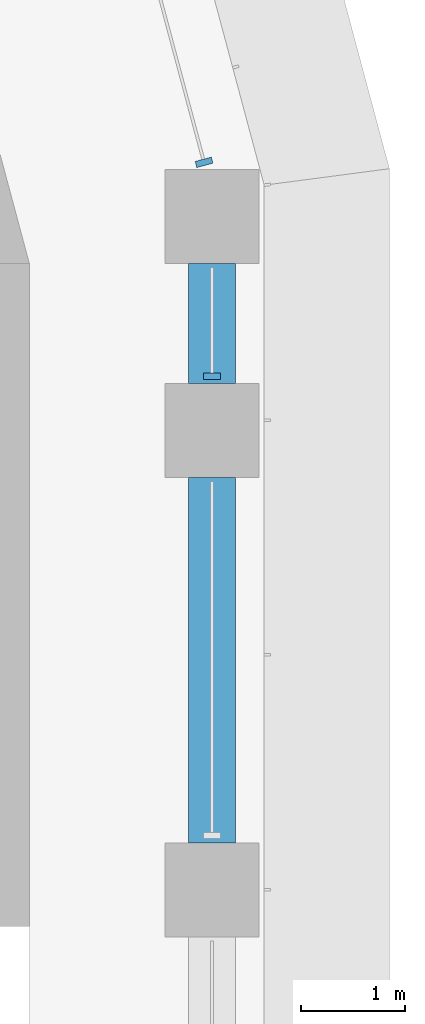
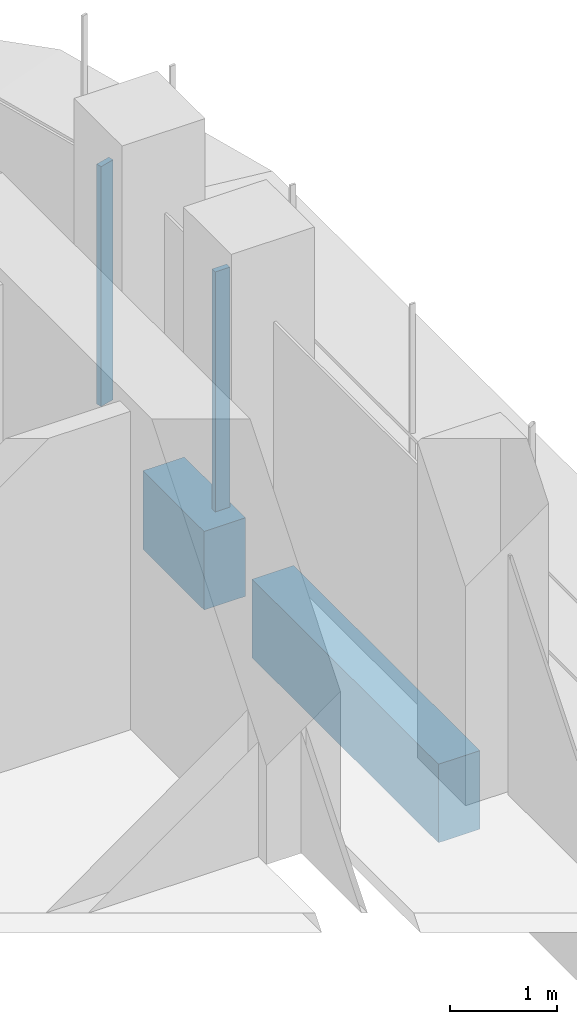
# One storey, part 9 of 22: 2 beams, 2 members, 2 elements without a shape of their own.
"""IFC4 building model written with IfcOpenShell, lengths in metres."""

from ifc_helpers import new_model, si_unit, direction, frame, origin, origin_2d, place, context, subcontext, project, spatial, polyline, rectangle, outline, extrude, source, transform, mapped, material, material_profile, profile_set, type_object, element, aggregate, save


model = new_model("IFC4")

# Units and contexts
model_context = context("Model", 3, precision=1e-05, world=origin(), true_north=direction((0.0, 1.0)))
body_context = subcontext(model_context, "Body", "Model", "MODEL_VIEW")
ifc_project = project(units=[si_unit("LENGTHUNIT", "METRE"), si_unit("AREAUNIT", "SQUARE_METRE"), si_unit("VOLUMEUNIT", "CUBIC_METRE"), si_unit("PLANEANGLEUNIT", "RADIAN"), si_unit("MASSUNIT", "GRAM", prefix="KILO")], contexts=[model_context])

# Site, building, storey
site_placement = place(None, origin())
site = spatial("IfcSite", under=ifc_project, at=site_placement, CompositionType="ELEMENT")
building_placement = place(site_placement, origin())
building = spatial("IfcBuilding", under=site, at=building_placement, Name="Zarbagh Exchange Tower", CompositionType="ELEMENT")
storey_placement = place(building_placement, frame((0.0, 0.0, 109.39990234375)))
storey = spatial("IfcBuildingStorey", under=building, at=storey_placement, Name="L25", CompositionType="ELEMENT", Elevation=109.39990234375)

# Beams
ifc_material_1 = material(Name="Concrete C60/75", Category="concrete")
ifc_material_profile = material_profile(ifc_material_1, rectangle(XDim=0.449951171875, YDim=0.89990234375, at=origin_2d()), Name="RC spandrel beam 450 x 900 C60/75")
ifc_profile_set = profile_set([ifc_material_profile], Name="Concrete C60/75")
beam_type = type_object("IfcBeamType", Name="RC spandrel beam 450 x 900 C60/75", PredefinedType="SPANDREL", material=ifc_profile_set)
beam_1_placement = place(storey_placement, frame((6.25, 26.25, -0.599853515625), z_axis=(0.0, -1.0, 0.0), x_axis=(1.0, 0.0, 0.0)))
element("IfcBeam", 1, at=beam_1_placement, inside=storey, type_object=beam_type, Name="RC spandrel beam", PredefinedType="SPANDREL", context=body_context, shape_type="SweptSolid", body=[
    extrude(rectangle(XDim=0.449951171875, YDim=0.89990234375, at=origin_2d()), origin(), (0.0, 0.0, 1.0), 1.14990234375),
])
beam_2_placement = place(storey_placement, frame((6.25, 24.199951171875, -0.599853515625), z_axis=(0.0, -1.0, 0.0), x_axis=(1.0, 0.0, 0.0)))
element("IfcBeam", 2, at=beam_2_placement, inside=storey, type_object=beam_type, Name="RC spandrel beam", PredefinedType="SPANDREL", context=body_context, shape_type="SweptSolid", body=[
    extrude(rectangle(XDim=0.449951171875, YDim=0.89990234375, at=origin_2d()), origin(), (0.0, 0.0, 1.0), 3.5),
])

# Curtain wall, member
ifc_material_2 = material(Name="Anodised aluminium frame and glazing", Category="aluminium")
curtain_wall_type = type_object("IfcCurtainWallType", Name="CWA Ribbon glazing, lower zones", PredefinedType="NOTDEFINED", material=ifc_material_2)
curtain_wall_1_placement = place(storey_placement, origin())
curtain_wall_1 = element("IfcCurtainWall", 3, at=curtain_wall_1_placement, inside=storey, type_object=curtain_wall_type, Name="CWA49 curtain wall", PredefinedType="NOTDEFINED")
ifc_material_3 = material(Name="Anodised aluminium frame", Category="aluminium")
member_type = type_object("IfcMemberType", Name="MUA Mullion, anodised aluminium frame", PredefinedType="MULLION", material=ifc_material_3)
shared_shape = source(origin(), body_context, "Body", "SweptSolid", [
    extrude(outline(polyline([(0.0, -0.080078125), (0.06005859375, -0.080078125), (0.06005859375, 0.080078125), (0.0, 0.080078125), (0.0, -0.080078125)])), origin(), (0.0, 0.0, 1.0), 2.75),
])
placement = place(storey_placement, origin())
member_1 = element("IfcMember", 4, at=placement, type_object=member_type, Name="CWA49 mullion 4.1", PredefinedType="MULLION", context=body_context, shape_type="MappedRepresentation", body=[
    mapped(shared_shape, transform((6.25, 25.14013671875, 0.0), x_axis=(0.0, 1.0, 0.0), y_axis=(-1.0, 0.0, 0.0), z_axis=(0.0, 0.0, 1.0))),
])
aggregate(curtain_wall_1, [member_1])

curtain_wall_2_placement = place(storey_placement, origin())
curtain_wall_2 = element("IfcCurtainWall", 5, at=curtain_wall_2_placement, inside=storey, type_object=curtain_wall_type, Name="CWA50 curtain wall", PredefinedType="NOTDEFINED")
member_2 = element("IfcMember", 6, at=placement, type_object=member_type, Name="CWA50 mullion 1.1", PredefinedType="MULLION", context=body_context, shape_type="MappedRepresentation", body=[
    mapped(shared_shape, transform((6.181396484375, 27.18994140625, 0.0), x_axis=(-0.258824779902, 0.965924289636, 0.0), y_axis=(-0.965924289636, -0.258824779902, 0.0), z_axis=(0.0, 0.0, 1.0))),
])
aggregate(curtain_wall_2, [member_2])

save(model, "model.ifc")
